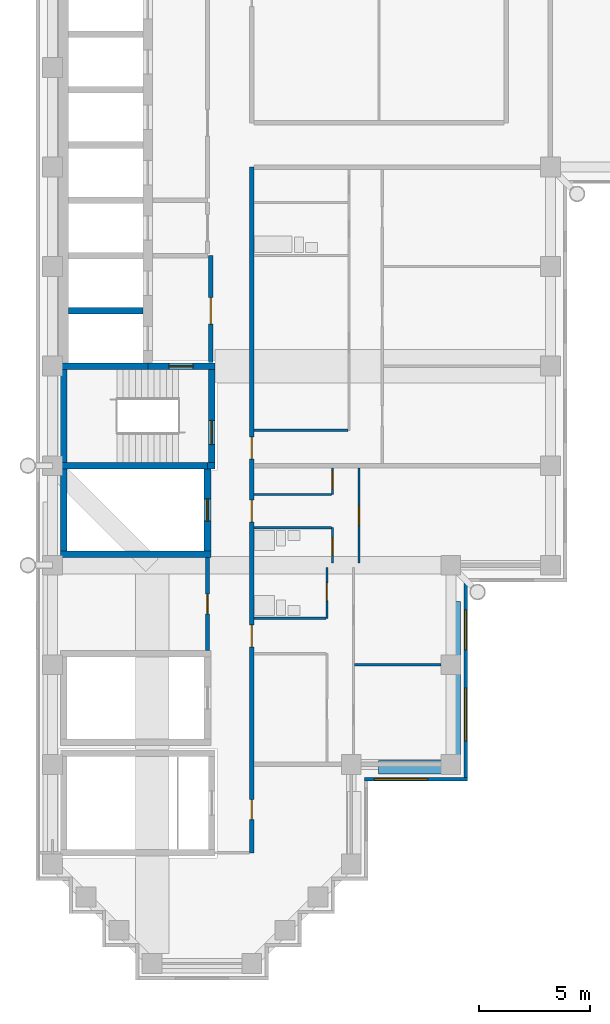
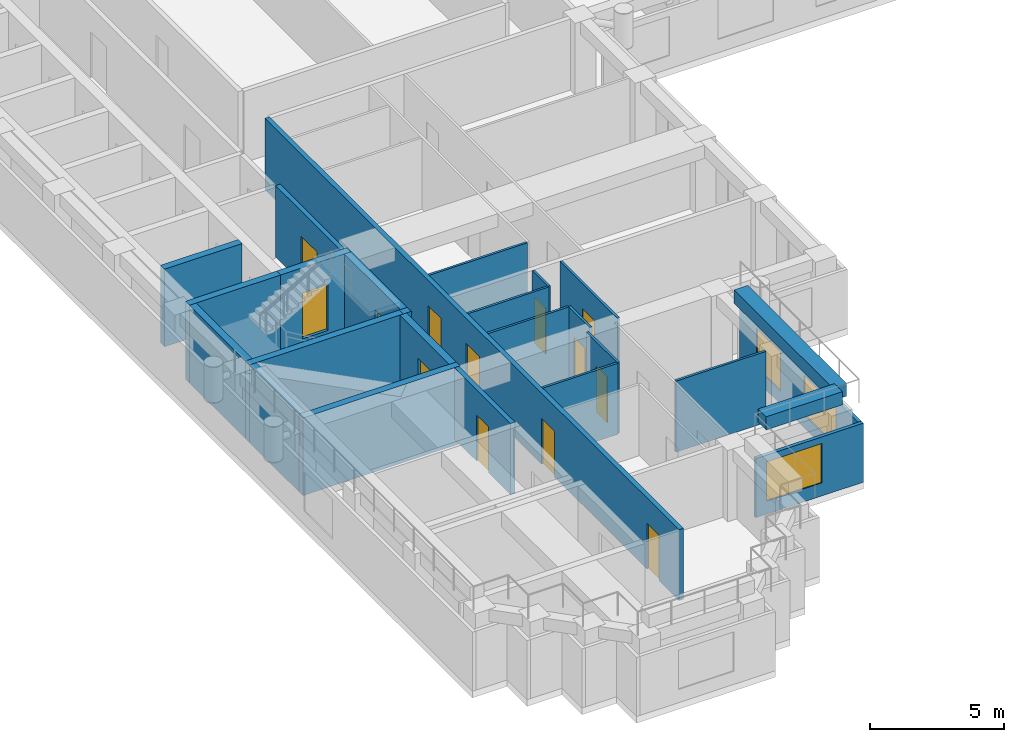
# One storey, part 3 of 11: 26 walls, 13 doors, 3 windows, 16 openings.
"""IFC4 building model written with IfcOpenShell, lengths in metres."""

from ifc_helpers import new_model, si_unit, direction, frame, frame_2d, origin, place, context, subcontext, project, spatial, rectangle, extrude, material, layer, layer_set, type_object, element, fill, save


model = new_model("IFC4")

# Units and contexts
model_context = context("Model", 3, precision=1e-05, world=origin(), true_north=direction((0.0, 1.0)))
body_context = subcontext(model_context, "Body", "Model", "MODEL_VIEW")
ifc_project = project(units=[si_unit("LENGTHUNIT", "METRE"), si_unit("AREAUNIT", "SQUARE_METRE"), si_unit("VOLUMEUNIT", "CUBIC_METRE"), si_unit("PLANEANGLEUNIT", "RADIAN"), si_unit("MASSUNIT", "GRAM", prefix="KILO")], contexts=[model_context])

# Site, building, storey
site_placement = place(None, origin())
site = spatial("IfcSite", under=ifc_project, at=site_placement, CompositionType="ELEMENT")
building_placement = place(site_placement, origin())
building = spatial("IfcBuilding", under=site, at=building_placement, Name="Firuza Court", CompositionType="ELEMENT")
storey_placement = place(building_placement, frame((0.0, 0.0, 207.800048828125)))
storey = spatial("IfcBuildingStorey", under=building, at=storey_placement, Name="L53", CompositionType="ELEMENT", Elevation=207.800048828125)

# Walls
ifc_material_1 = material(Name="Moisture-resistant gypsum board partition")
ifc_layer_1 = layer(ifc_material_1, 0.10009765625)
ifc_layer_set_1 = layer_set([ifc_layer_1], Name="Moisture-resistant gypsum board partition")
wall_type_1 = type_object("IfcWallType", Name="Bathroom partition 100", PredefinedType="PLUMBINGWALL", material=ifc_layer_set_1)
wall_1_placement = place(storey_placement, frame((9.10009765625, 15.60009765625, 0.0), z_axis=(0.0, 0.0, 1.0), x_axis=(1.0, 0.0, 0.0)))
element("IfcWall", 1, at=wall_1_placement, inside=storey, type_object=wall_type_1, Name="Bathroom partition 100 L53", PredefinedType="PLUMBINGWALL", context=body_context, shape_type="SweptSolid", body=[
    extrude(rectangle(XDim=3.25, YDim=0.10009765625, at=frame_2d((1.625, 0.0))), origin(), (0.0, 0.0, 1.0), 3.25),
])
wall_2_placement = place(storey_placement, frame((9.10009765625, 19.699951171875, 0.0), z_axis=(0.0, 0.0, 1.0), x_axis=(1.0, 0.0, 0.0)))
element("IfcWall", 2, at=wall_2_placement, inside=storey, type_object=wall_type_1, Name="Bathroom partition 100 L53", PredefinedType="PLUMBINGWALL", context=body_context, shape_type="SweptSolid", body=[
    extrude(rectangle(XDim=3.5, YDim=0.10009765625, at=frame_2d((1.75, 0.0))), origin(), (0.0, 0.0, 1.0), 3.25),
])
ifc_material_2 = material(Name="Concrete C50/60", Category="concrete")
ifc_layer_2 = layer(ifc_material_2, 0.300048828125)
ifc_layer_set_2 = layer_set([ifc_layer_2], Name="Concrete C50/60")
wall_type_2 = type_object("IfcWallType", Name="Core wall 300 C50/60", PredefinedType="SHEAR", material=ifc_layer_set_2)
wall_3_placement = place(storey_placement, frame((0.35009765625, 18.5, -0.300048828125), z_axis=(0.0, 0.0, 1.0), x_axis=(1.0, 0.0, 0.0)))
element("IfcWall", 3, at=wall_3_placement, inside=storey, type_object=wall_type_2, Name="Core wall riser L53", PredefinedType="SHEAR", context=body_context, shape_type="SweptSolid", body=[
    extrude(rectangle(XDim=6.7998046875, YDim=0.300048828125, at=frame_2d((3.39990234375, 0.0))), origin(), (0.0, 0.0, 1.0), 3.550048828125),
])
wall_4_placement = place(storey_placement, frame((0.35009765625, 22.5, -0.300048828125), z_axis=(0.0, 0.0, 1.0), x_axis=(1.0, 0.0, 0.0)))
element("IfcWall", 4, at=wall_4_placement, inside=storey, type_object=wall_type_2, Name="Core wall riser L53", PredefinedType="SHEAR", context=body_context, shape_type="SweptSolid", body=[
    extrude(rectangle(XDim=6.64990234375, YDim=0.300048828125, at=frame_2d((3.324951171875, 0.0))), origin(), (0.0, 0.0, 1.0), 3.550048828125),
])
wall_5_placement = place(storey_placement, frame((0.35009765625, 27.0, -0.300048828125), z_axis=(0.0, 0.0, 1.0), x_axis=(1.0, 0.0, 0.0)))
element("IfcWall", 5, at=wall_5_placement, inside=storey, type_object=wall_type_2, Name="Core wall lift shaft L53", PredefinedType="SHEAR", context=body_context, shape_type="SweptSolid", body=[
    extrude(rectangle(XDim=3.949951171875, YDim=0.300048828125, at=frame_2d((1.97509765625, 0.0))), origin(), (0.0, 0.0, 1.0), 3.550048828125),
])
wall_6_placement = place(storey_placement, frame((0.5, 18.64990234375, -0.300048828125), z_axis=(0.0, 0.0, 1.0), x_axis=(0.0, 1.0, 0.0)))
element("IfcWall", 6, at=wall_6_placement, inside=storey, type_object=wall_type_2, Name="Core wall riser L53", PredefinedType="SHEAR", context=body_context, shape_type="SweptSolid", body=[
    extrude(rectangle(XDim=3.7001953125, YDim=0.300048828125, at=frame_2d((1.85009765625, 0.0))), origin(), (0.0, 0.0, 1.0), 3.550048828125),
])
wall_7_placement = place(storey_placement, frame((0.5, 22.64990234375, -0.300048828125), z_axis=(0.0, 0.0, 1.0), x_axis=(0.0, 1.0, 0.0)))
element("IfcWall", 7, at=wall_7_placement, inside=storey, type_object=wall_type_2, Name="Core wall stair L53", PredefinedType="SHEAR", context=body_context, shape_type="SweptSolid", body=[
    extrude(rectangle(XDim=4.2001953125, YDim=0.300048828125, at=frame_2d((2.10009765625, 0.0))), origin(), (0.0, 0.0, 1.0), 3.550048828125),
])
wall_8_placement = place(storey_placement, frame((0.72509765625, 29.5, -0.300048828125), z_axis=(0.0, 0.0, 1.0), x_axis=(1.0, 0.0, 0.0)))
element("IfcWall", 8, at=wall_8_placement, inside=storey, type_object=wall_type_2, Name="Core wall lift shaft L53", PredefinedType="SHEAR", context=body_context, shape_type="SweptSolid", body=[
    extrude(rectangle(XDim=3.349853515625, YDim=0.300048828125, at=frame_2d((1.6748046875, 0.0))), origin(), (0.0, 0.0, 1.0), 3.550048828125),
])

# Wall, opening, door
wall_9_placement = place(storey_placement, frame((4.300048828125, 27.0, -0.300048828125), z_axis=(0.0, 0.0, 1.0), x_axis=(1.0, 0.0, 0.0)))
wall_9 = element("IfcWall", 9, at=wall_9_placement, inside=storey, type_object=wall_type_2, Name="Core wall stair L53", PredefinedType="SHEAR", context=body_context, shape_type="SweptSolid", body=[
    extrude(rectangle(XDim=3.050048828125, YDim=0.300048828125, at=frame_2d((1.52490234375, 0.0))), origin(), (0.0, 0.0, 1.0), 3.550048828125),
])
opening_1_placement = place(wall_9_placement, frame((0.949951171875, 0.0, 0.300048828125)))
opening_1 = element("IfcOpeningElement", 10, at=opening_1_placement, cuts=wall_9, Name="Opening D53012", PredefinedType="OPENING", context=body_context, shape_type="SweptSolid", body=[
    extrude(rectangle(XDim=1.10009765625, YDim=2.10009765625, at=frame_2d((0.550048828125, 1.050048828125))), frame((0.0, 0.162109375, 0.0), z_axis=(0.0, -1.0, 0.0), x_axis=(1.0, 0.0, 0.0)), (0.0, 0.0, 1.0), 0.323974609375),
])
ifc_material_3 = material(Name="Timber door leaf in hardwood frame", Category="wood")
door_type_1 = type_object("IfcDoorType", Name="Stair door 1100", OperationType="SINGLE_SWING_LEFT", PredefinedType="DOOR", material=ifc_material_3)
door_1_placement = place(opening_1_placement, frame((1.10009765625, 0.0, 0.0), z_axis=(0.0, 0.0, 1.0), x_axis=(-1.0, 0.0, 0.0)))
door_1 = element("IfcDoor", 11, at=door_1_placement, inside=storey, type_object=door_type_1, Name="Fire-fighting lobby door", OperationType="SINGLE_SWING_LEFT", OverallHeight=2.10009765625, OverallWidth=1.10009765625, PredefinedType="DOOR", context=body_context, shape_type="SweptSolid", body=[
    extrude(rectangle(XDim=1.10009765625, YDim=2.10009765625, at=frame_2d((0.550048828125, 1.050048828125))), frame((0.0, 0.02490234375, 0.0), z_axis=(0.0, -1.0, 0.0), x_axis=(1.0, 0.0, 0.0)), (0.0, 0.0, 1.0), 0.050048828125),
])
fill(opening_1, door_1)

wall_10_placement = place(storey_placement, frame((7.0, 18.64990234375, -0.300048828125), z_axis=(0.0, 0.0, 1.0), x_axis=(0.0, 1.0, 0.0)))
wall_10 = element("IfcWall", 12, at=wall_10_placement, inside=storey, type_object=wall_type_2, Name="Core wall riser L53", PredefinedType="SHEAR", context=body_context, shape_type="SweptSolid", body=[
    extrude(rectangle(XDim=3.7001953125, YDim=0.300048828125, at=frame_2d((1.85009765625, 0.0))), origin(), (0.0, 0.0, 1.0), 3.550048828125),
])
opening_2_placement = place(wall_10_placement, frame((1.35009765625, 0.0, 0.300048828125)))
opening_2 = element("IfcOpeningElement", 13, at=opening_2_placement, cuts=wall_10, Name="Opening D53008", PredefinedType="OPENING", context=body_context, shape_type="SweptSolid", body=[
    extrude(rectangle(XDim=1.0, YDim=2.10009765625, at=frame_2d((0.5, 1.050048828125))), frame((0.0, 0.162109375, 0.0), z_axis=(0.0, -1.0, 0.0), x_axis=(1.0, 0.0, 0.0)), (0.0, 0.0, 1.0), 0.323974609375),
])
ifc_material_4 = material(Name="Timber door leaf in hardwood frame", Category="wood")
door_type_2 = type_object("IfcDoorType", Name="Riser door 1000", OperationType="SINGLE_SWING_LEFT", PredefinedType="DOOR", material=ifc_material_4)
door_2_placement = place(opening_2_placement, origin())
door_2 = element("IfcDoor", 14, at=door_2_placement, inside=storey, type_object=door_type_2, Name="Riser door R1", OperationType="SINGLE_SWING_LEFT", OverallHeight=2.10009765625, OverallWidth=1.0, PredefinedType="DOOR", context=body_context, shape_type="SweptSolid", body=[
    extrude(rectangle(XDim=1.0, YDim=2.10009765625, at=frame_2d((0.5, 1.050048828125))), frame((0.0, 0.02490234375, 0.0), z_axis=(0.0, -1.0, 0.0), x_axis=(1.0, 0.0, 0.0)), (0.0, 0.0, 1.0), 0.050048828125),
])
fill(opening_2, door_2)

# Wall
wall_11_placement = place(storey_placement, frame((7.0, 22.5, -0.300048828125), z_axis=(0.0, 0.0, 1.0), x_axis=(1.0, 0.0, 0.0)))
element("IfcWall", 15, at=wall_11_placement, inside=storey, type_object=wall_type_2, Name="Core wall stair L53", PredefinedType="SHEAR", context=body_context, shape_type="SweptSolid", body=[
    extrude(rectangle(XDim=0.35009765625, YDim=0.300048828125, at=frame_2d((0.175048828125, 0.0))), origin(), (0.0, 0.0, 1.0), 3.550048828125),
])

# Wall, opening, door
wall_12_placement = place(storey_placement, frame((7.199951171875, 22.64990234375, -0.300048828125), z_axis=(0.0, 0.0, 1.0), x_axis=(0.0, 1.0, 0.0)))
wall_12 = element("IfcWall", 16, at=wall_12_placement, inside=storey, type_object=wall_type_2, Name="Core wall stair L53", PredefinedType="SHEAR", context=body_context, shape_type="SweptSolid", body=[
    extrude(rectangle(XDim=4.2001953125, YDim=0.300048828125, at=frame_2d((2.10009765625, 0.0))), origin(), (0.0, 0.0, 1.0), 3.550048828125),
])
opening_3_placement = place(wall_12_placement, frame((0.800048828125, 0.0, 0.300048828125)))
opening_3 = element("IfcOpeningElement", 17, at=opening_3_placement, cuts=wall_12, Name="Opening D53013", PredefinedType="OPENING", context=body_context, shape_type="SweptSolid", body=[
    extrude(rectangle(XDim=1.10009765625, YDim=2.10009765625, at=frame_2d((0.550048828125, 1.050048828125))), frame((0.0, 0.162109375, 0.0), z_axis=(0.0, -1.0, 0.0), x_axis=(1.0, 0.0, 0.0)), (0.0, 0.0, 1.0), 0.323974609375),
])
door_3_placement = place(opening_3_placement, origin())
door_3 = element("IfcDoor", 18, at=door_3_placement, inside=storey, type_object=door_type_1, Name="Stair door S2", OperationType="SINGLE_SWING_LEFT", OverallHeight=2.10009765625, OverallWidth=1.10009765625, PredefinedType="DOOR", context=body_context, shape_type="SweptSolid", body=[
    extrude(rectangle(XDim=1.10009765625, YDim=2.10009765625, at=frame_2d((0.550048828125, 1.050048828125))), frame((0.0, 0.02490234375, 0.0), z_axis=(0.0, -1.0, 0.0), x_axis=(1.0, 0.0, 0.0)), (0.0, 0.0, 1.0), 0.050048828125),
])
fill(opening_3, door_3)

# Wall, openings, doors
ifc_material_5 = material(Name="Blockwork, plastered both sides", Category="masonry")
ifc_layer_3 = layer(ifc_material_5, 0.199951171875)
ifc_layer_set_3 = layer_set([ifc_layer_3], Name="Blockwork, plastered both sides")
wall_type_3 = type_object("IfcWallType", Name="Corridor wall 200", PredefinedType="PARTITIONING", material=ifc_layer_set_3)
wall_13_placement = place(storey_placement, frame((9.0, 5.0, 0.0), z_axis=(0.0, 0.0, 1.0), x_axis=(0.0, 1.0, 0.0)))
wall_13 = element("IfcWall", 19, at=wall_13_placement, inside=storey, type_object=wall_type_3, Name="Corridor wall 200 L53", PredefinedType="PARTITIONING", context=body_context, shape_type="SweptSolid", body=[
    extrude(rectangle(XDim=31.0, YDim=0.199951171875, at=frame_2d((15.5, 0.0))), origin(), (0.0, 0.0, 1.0), 3.25),
])
opening_4_placement = place(wall_13_placement, frame((17.800048828125, 0.0, 0.0)))
opening_4 = element("IfcOpeningElement", 20, at=opening_4_placement, cuts=wall_13, Name="Opening D53016", PredefinedType="OPENING", context=body_context, shape_type="SweptSolid", body=[
    extrude(rectangle(XDim=1.0, YDim=2.10009765625, at=frame_2d((0.5, 1.050048828125))), frame((0.0, 0.11181640625, 0.0), z_axis=(0.0, -1.0, 0.0), x_axis=(1.0, 0.0, 0.0)), (0.0, 0.0, 1.0), 0.223876953125),
])
opening_5_placement = place(wall_13_placement, frame((14.949951171875, 0.0, 0.0)))
opening_5 = element("IfcOpeningElement", 21, at=opening_5_placement, cuts=wall_13, Name="Opening D53017", PredefinedType="OPENING", context=body_context, shape_type="SweptSolid", body=[
    extrude(rectangle(XDim=1.0, YDim=2.10009765625, at=frame_2d((0.5, 1.050048828125))), frame((0.0, 0.11181640625, 0.0), z_axis=(0.0, -1.0, 0.0), x_axis=(1.0, 0.0, 0.0)), (0.0, 0.0, 1.0), 0.223876953125),
])
opening_6_placement = place(wall_13_placement, frame((9.300048828125, 0.0, 0.0)))
opening_6 = element("IfcOpeningElement", 22, at=opening_6_placement, cuts=wall_13, Name="Opening D53018", PredefinedType="OPENING", context=body_context, shape_type="SweptSolid", body=[
    extrude(rectangle(XDim=1.0, YDim=2.10009765625, at=frame_2d((0.5, 1.050048828125))), frame((0.0, 0.11181640625, 0.0), z_axis=(0.0, -1.0, 0.0), x_axis=(1.0, 0.0, 0.0)), (0.0, 0.0, 1.0), 0.223876953125),
])
opening_7_placement = place(wall_13_placement, frame((1.5, 0.0, 0.0)))
opening_7 = element("IfcOpeningElement", 23, at=opening_7_placement, cuts=wall_13, Name="Opening D53019", PredefinedType="OPENING", context=body_context, shape_type="SweptSolid", body=[
    extrude(rectangle(XDim=0.89990234375, YDim=2.10009765625, at=frame_2d((0.449951171875, 1.050048828125))), frame((0.0, 0.11181640625, 0.0), z_axis=(0.0, -1.0, 0.0), x_axis=(1.0, 0.0, 0.0)), (0.0, 0.0, 1.0), 0.223876953125),
])
ifc_material_6 = material(Name="Timber door leaf in hardwood frame", Category="wood")
door_type_3 = type_object("IfcDoorType", Name="Flat entrance door 1000", OperationType="SINGLE_SWING_LEFT", PredefinedType="DOOR", material=ifc_material_6)
door_4_placement = place(opening_4_placement, origin())
door_4 = element("IfcDoor", 24, at=door_4_placement, inside=storey, type_object=door_type_3, Name="Flat entrance door", OperationType="SINGLE_SWING_LEFT", OverallHeight=2.10009765625, OverallWidth=1.0, PredefinedType="DOOR", context=body_context, shape_type="SweptSolid", body=[
    extrude(rectangle(XDim=1.0, YDim=2.10009765625, at=frame_2d((0.5, 1.050048828125))), frame((0.0, 0.02490234375, 0.0), z_axis=(0.0, -1.0, 0.0), x_axis=(1.0, 0.0, 0.0)), (0.0, 0.0, 1.0), 0.050048828125),
])
fill(opening_4, door_4)
door_5_placement = place(opening_5_placement, origin())
door_5 = element("IfcDoor", 25, at=door_5_placement, inside=storey, type_object=door_type_3, Name="Flat entrance door", OperationType="SINGLE_SWING_LEFT", OverallHeight=2.10009765625, OverallWidth=1.0, PredefinedType="DOOR", context=body_context, shape_type="SweptSolid", body=[
    extrude(rectangle(XDim=1.0, YDim=2.10009765625, at=frame_2d((0.5, 1.050048828125))), frame((0.0, 0.02490234375, 0.0), z_axis=(0.0, -1.0, 0.0), x_axis=(1.0, 0.0, 0.0)), (0.0, 0.0, 1.0), 0.050048828125),
])
fill(opening_5, door_5)
door_6_placement = place(opening_6_placement, origin())
door_6 = element("IfcDoor", 26, at=door_6_placement, inside=storey, type_object=door_type_3, Name="Flat entrance door", OperationType="SINGLE_SWING_LEFT", OverallHeight=2.10009765625, OverallWidth=1.0, PredefinedType="DOOR", context=body_context, shape_type="SweptSolid", body=[
    extrude(rectangle(XDim=1.0, YDim=2.10009765625, at=frame_2d((0.5, 1.050048828125))), frame((0.0, 0.02490234375, 0.0), z_axis=(0.0, -1.0, 0.0), x_axis=(1.0, 0.0, 0.0)), (0.0, 0.0, 1.0), 0.050048828125),
])
fill(opening_6, door_6)
ifc_material_7 = material(Name="Timber door leaf in hardwood frame", Category="wood")
door_type_4 = type_object("IfcDoorType", Name="Room door 900 EI 30", OperationType="SINGLE_SWING_LEFT", PredefinedType="DOOR", material=ifc_material_7)
door_7_placement = place(opening_7_placement, frame((0.89990234375, 0.0, 0.0), z_axis=(0.0, 0.0, 1.0), x_axis=(-1.0, 0.0, 0.0)))
door_7 = element("IfcDoor", 27, at=door_7_placement, inside=storey, type_object=door_type_4, Name="Games room door", OperationType="SINGLE_SWING_LEFT", OverallHeight=2.10009765625, OverallWidth=0.89990234375, PredefinedType="DOOR", context=body_context, shape_type="SweptSolid", body=[
    extrude(rectangle(XDim=0.89990234375, YDim=2.10009765625, at=frame_2d((0.449951171875, 1.050048828125))), frame((0.0, 0.02490234375, 0.0), z_axis=(0.0, -1.0, 0.0), x_axis=(1.0, 0.0, 0.0)), (0.0, 0.0, 1.0), 0.050048828125),
])
fill(opening_7, door_7)

# Wall, opening, door
wall_14_placement = place(storey_placement, frame((7.0, 14.14990234375, 0.0), z_axis=(0.0, 0.0, 1.0), x_axis=(0.0, 1.0, 0.0)))
wall_14 = element("IfcWall", 28, at=wall_14_placement, inside=storey, type_object=wall_type_3, Name="Corridor wall 200 L53", PredefinedType="PARTITIONING", context=body_context, shape_type="SweptSolid", body=[
    extrude(rectangle(XDim=4.2001953125, YDim=0.199951171875, at=frame_2d((2.10009765625, 0.0))), origin(), (0.0, 0.0, 1.0), 3.25),
])
opening_8_placement = place(wall_14_placement, frame((1.64990234375, 0.0, 0.0)))
opening_8 = element("IfcOpeningElement", 29, at=opening_8_placement, cuts=wall_14, Name="Opening D53023", PredefinedType="OPENING", context=body_context, shape_type="SweptSolid", body=[
    extrude(rectangle(XDim=0.89990234375, YDim=2.10009765625, at=frame_2d((0.449951171875, 1.050048828125))), frame((0.0, 0.11181640625, 0.0), z_axis=(0.0, -1.0, 0.0), x_axis=(1.0, 0.0, 0.0)), (0.0, 0.0, 1.0), 0.223876953125),
])
door_8_placement = place(opening_8_placement, origin())
door_8 = element("IfcDoor", 30, at=door_8_placement, inside=storey, type_object=door_type_4, Name="Meeting room door", OperationType="SINGLE_SWING_RIGHT", OverallHeight=2.10009765625, OverallWidth=0.89990234375, PredefinedType="DOOR", context=body_context, shape_type="SweptSolid", body=[
    extrude(rectangle(XDim=0.89990234375, YDim=2.10009765625, at=frame_2d((0.449951171875, 1.050048828125))), frame((0.0, 0.02490234375, 0.0), z_axis=(0.0, -1.0, 0.0), x_axis=(1.0, 0.0, 0.0)), (0.0, 0.0, 1.0), 0.050048828125),
])
fill(opening_8, door_8)

# Wall
ifc_material_8 = material(Name="Timber stud partition, plasterboard both sides", Category="wood")
ifc_layer_4 = layer(ifc_material_8, 0.10009765625)
ifc_layer_set_4 = layer_set([ifc_layer_4], Name="Timber stud partition, plasterboard both sides")
wall_type_4 = type_object("IfcWallType", Name="Partition wall 100", PredefinedType="PARTITIONING", material=ifc_layer_set_4)
wall_15_placement = place(storey_placement, frame((13.64990234375, 13.5, 0.0), z_axis=(0.0, 0.0, 1.0), x_axis=(1.0, 0.0, 0.0)))
element("IfcWall", 31, at=wall_15_placement, inside=storey, type_object=wall_type_4, Name="Partition wall 100 L53", PredefinedType="PARTITIONING", context=body_context, shape_type="SweptSolid", body=[
    extrude(rectangle(XDim=3.900146484375, YDim=0.10009765625, at=frame_2d((1.9501953125, 0.0))), origin(), (0.0, 0.0, 1.0), 3.25),
])

# Wall, opening, door
wall_16_placement = place(storey_placement, frame((12.39990234375, 15.60009765625, 0.0), z_axis=(0.0, 0.0, 1.0), x_axis=(0.0, 1.0, 0.0)))
wall_16 = element("IfcWall", 32, at=wall_16_placement, inside=storey, type_object=wall_type_4, Name="Partition wall 100 L53", PredefinedType="PARTITIONING", context=body_context, shape_type="SweptSolid", body=[
    extrude(rectangle(XDim=2.2998046875, YDim=0.10009765625, at=frame_2d((1.14990234375, 0.0))), origin(), (0.0, 0.0, 1.0), 3.25),
])
opening_9_placement = place(wall_16_placement, frame((0.800048828125, 0.0, 0.0)))
opening_9 = element("IfcOpeningElement", 33, at=opening_9_placement, cuts=wall_16, Name="Opening D53024", PredefinedType="OPENING", context=body_context, shape_type="SweptSolid", body=[
    extrude(rectangle(XDim=0.800048828125, YDim=2.10009765625, at=frame_2d((0.39990234375, 1.050048828125))), frame((0.0, 0.06201171875, 0.0), z_axis=(0.0, -1.0, 0.0), x_axis=(1.0, 0.0, 0.0)), (0.0, 0.0, 1.0), 0.1240234375),
])
ifc_material_9 = material(Name="Timber door leaf in hardwood frame", Category="wood")
door_type_5 = type_object("IfcDoorType", Name="Bathroom door 800", OperationType="SINGLE_SWING_LEFT", PredefinedType="DOOR", material=ifc_material_9)
door_9_placement = place(opening_9_placement, origin())
door_9 = element("IfcDoor", 34, at=door_9_placement, inside=storey, type_object=door_type_5, Name="Bathroom door", OperationType="SINGLE_SWING_RIGHT", OverallHeight=2.10009765625, OverallWidth=0.800048828125, PredefinedType="DOOR", context=body_context, shape_type="SweptSolid", body=[
    extrude(rectangle(XDim=0.800048828125, YDim=2.10009765625, at=frame_2d((0.39990234375, 1.050048828125))), frame((0.0, 0.02490234375, 0.0), z_axis=(0.0, -1.0, 0.0), x_axis=(1.0, 0.0, 0.0)), (0.0, 0.0, 1.0), 0.050048828125),
])
fill(opening_9, door_9)

wall_17_placement = place(storey_placement, frame((12.64990234375, 18.10009765625, 0.0), z_axis=(0.0, 0.0, 1.0), x_axis=(0.0, 1.0, 0.0)))
wall_17 = element("IfcWall", 35, at=wall_17_placement, inside=storey, type_object=wall_type_4, Name="Partition wall 100 L53", PredefinedType="PARTITIONING", context=body_context, shape_type="SweptSolid", body=[
    extrude(rectangle(XDim=1.599853515625, YDim=0.10009765625, at=frame_2d((0.7998046875, 0.0))), origin(), (0.0, 0.0, 1.0), 3.25),
])
opening_10_placement = place(wall_17_placement, frame((0.35009765625, 0.0, 0.0)))
opening_10 = element("IfcOpeningElement", 36, at=opening_10_placement, cuts=wall_17, Name="Opening D53025", PredefinedType="OPENING", context=body_context, shape_type="SweptSolid", body=[
    extrude(rectangle(XDim=0.800048828125, YDim=2.10009765625, at=frame_2d((0.39990234375, 1.050048828125))), frame((0.0, 0.06201171875, 0.0), z_axis=(0.0, -1.0, 0.0), x_axis=(1.0, 0.0, 0.0)), (0.0, 0.0, 1.0), 0.1240234375),
])
door_10_placement = place(opening_10_placement, origin())
door_10 = element("IfcDoor", 37, at=door_10_placement, inside=storey, type_object=door_type_5, Name="Bathroom door", OperationType="SINGLE_SWING_LEFT", OverallHeight=2.10009765625, OverallWidth=0.800048828125, PredefinedType="DOOR", context=body_context, shape_type="SweptSolid", body=[
    extrude(rectangle(XDim=0.800048828125, YDim=2.10009765625, at=frame_2d((0.39990234375, 1.050048828125))), frame((0.0, 0.02490234375, 0.0), z_axis=(0.0, -1.0, 0.0), x_axis=(1.0, 0.0, 0.0)), (0.0, 0.0, 1.0), 0.050048828125),
])
fill(opening_10, door_10)

wall_18_placement = place(storey_placement, frame((13.85009765625, 18.10009765625, 0.0), z_axis=(0.0, 0.0, 1.0), x_axis=(0.0, 1.0, 0.0)))
wall_18 = element("IfcWall", 38, at=wall_18_placement, inside=storey, type_object=wall_type_4, Name="Partition wall 100 L53", PredefinedType="PARTITIONING", context=body_context, shape_type="SweptSolid", body=[
    extrude(rectangle(XDim=4.2998046875, YDim=0.10009765625, at=frame_2d((2.14990234375, 0.0))), origin(), (0.0, 0.0, 1.0), 3.25),
])
opening_11_placement = place(wall_18_placement, frame((1.699951171875, 0.0, 0.0)))
opening_11 = element("IfcOpeningElement", 39, at=opening_11_placement, cuts=wall_18, Name="Opening D53026", PredefinedType="OPENING", context=body_context, shape_type="SweptSolid", body=[
    extrude(rectangle(XDim=0.89990234375, YDim=2.10009765625, at=frame_2d((0.449951171875, 1.050048828125))), frame((0.0, 0.06201171875, 0.0), z_axis=(0.0, -1.0, 0.0), x_axis=(1.0, 0.0, 0.0)), (0.0, 0.0, 1.0), 0.1240234375),
])
ifc_material_10 = material(Name="Timber door leaf in hardwood frame", Category="wood")
door_type_6 = type_object("IfcDoorType", Name="Room door 900", OperationType="SINGLE_SWING_LEFT", PredefinedType="DOOR", material=ifc_material_10)
door_11_placement = place(opening_11_placement, frame((0.89990234375, 0.0, 0.0), z_axis=(0.0, 0.0, 1.0), x_axis=(-1.0, 0.0, 0.0)))
door_11 = element("IfcDoor", 40, at=door_11_placement, inside=storey, type_object=door_type_6, Name="Studio room door", OperationType="SINGLE_SWING_RIGHT", OverallHeight=2.10009765625, OverallWidth=0.89990234375, PredefinedType="DOOR", context=body_context, shape_type="SweptSolid", body=[
    extrude(rectangle(XDim=0.89990234375, YDim=2.10009765625, at=frame_2d((0.449951171875, 1.050048828125))), frame((0.0, 0.02490234375, 0.0), z_axis=(0.0, -1.0, 0.0), x_axis=(1.0, 0.0, 0.0)), (0.0, 0.0, 1.0), 0.050048828125),
])
fill(opening_11, door_11)

# Wall
wall_19_placement = place(storey_placement, frame((9.10009765625, 21.199951171875, 0.0), z_axis=(0.0, 0.0, 1.0), x_axis=(1.0, 0.0, 0.0)))
element("IfcWall", 41, at=wall_19_placement, inside=storey, type_object=wall_type_4, Name="Partition wall 100 L53", PredefinedType="PARTITIONING", context=body_context, shape_type="SweptSolid", body=[
    extrude(rectangle(XDim=3.5, YDim=0.10009765625, at=frame_2d((1.75, 0.0))), origin(), (0.0, 0.0, 1.0), 3.25),
])

# Wall, opening, door
wall_20_placement = place(storey_placement, frame((12.64990234375, 21.199951171875, 0.0), z_axis=(0.0, 0.0, 1.0), x_axis=(0.0, 1.0, 0.0)))
wall_20 = element("IfcWall", 42, at=wall_20_placement, inside=storey, type_object=wall_type_4, Name="Partition wall 100 L53", PredefinedType="PARTITIONING", context=body_context, shape_type="SweptSolid", body=[
    extrude(rectangle(XDim=1.199951171875, YDim=0.10009765625, at=frame_2d((0.60009765625, 0.0))), origin(), (0.0, 0.0, 1.0), 3.25),
])
opening_12_placement = place(wall_20_placement, frame((0.25, 0.0, 0.0)))
opening_12 = element("IfcOpeningElement", 43, at=opening_12_placement, cuts=wall_20, Name="Opening D53027", PredefinedType="OPENING", context=body_context, shape_type="SweptSolid", body=[
    extrude(rectangle(XDim=0.800048828125, YDim=2.10009765625, at=frame_2d((0.39990234375, 1.050048828125))), frame((0.0, 0.06201171875, 0.0), z_axis=(0.0, -1.0, 0.0), x_axis=(1.0, 0.0, 0.0)), (0.0, 0.0, 1.0), 0.1240234375),
])
ifc_material_11 = material(Name="Timber door leaf in hardwood frame", Category="wood")
door_type_7 = type_object("IfcDoorType", Name="Room door 800", OperationType="SINGLE_SWING_LEFT", PredefinedType="DOOR", material=ifc_material_11)
door_12_placement = place(opening_12_placement, origin())
door_12 = element("IfcDoor", 44, at=door_12_placement, inside=storey, type_object=door_type_7, Name="Kitchen door", OperationType="SINGLE_SWING_LEFT", OverallHeight=2.10009765625, OverallWidth=0.800048828125, PredefinedType="DOOR", context=body_context, shape_type="SweptSolid", body=[
    extrude(rectangle(XDim=0.800048828125, YDim=2.10009765625, at=frame_2d((0.39990234375, 1.050048828125))), frame((0.0, 0.02490234375, 0.0), z_axis=(0.0, -1.0, 0.0), x_axis=(1.0, 0.0, 0.0)), (0.0, 0.0, 1.0), 0.050048828125),
])
fill(opening_12, door_12)

# Wall
wall_21_placement = place(storey_placement, frame((9.10009765625, 24.10009765625, 0.0), z_axis=(0.0, 0.0, 1.0), x_axis=(1.0, 0.0, 0.0)))
element("IfcWall", 45, at=wall_21_placement, inside=storey, type_object=wall_type_4, Name="Partition wall 100 L53", PredefinedType="PARTITIONING", context=body_context, shape_type="SweptSolid", body=[
    extrude(rectangle(XDim=4.25, YDim=0.10009765625, at=frame_2d((2.125, 0.0))), origin(), (0.0, 0.0, 1.0), 3.25),
])

# Wall, opening, window
ifc_material_12 = material(Name="Ceramic tile", Category="ceramic")
ifc_layer_5 = layer(ifc_material_12, 0.02001953125)
ifc_material_13 = material(Name="Mineral wool insulation", Category="insulation")
ifc_layer_6 = layer(ifc_material_13, 0.050048828125)
ifc_material_14 = material(Name="Concrete C40/50 precast", Category="concrete")
ifc_layer_7 = layer(ifc_material_14, 0.080078125)
ifc_layer_set_5 = layer_set([ifc_layer_5, ifc_layer_6, ifc_layer_7], Name="Concrete C40/50 precast")
wall_type_5 = type_object("IfcWallType", Name="Precast cladding wall with turquoise TILE PANEL face 150", PredefinedType="STANDARD", material=ifc_layer_set_5)
wall_22_placement = place(storey_placement, frame((14.10009765625, 8.324951171875, 0.0), z_axis=(0.0, 0.0, 1.0), x_axis=(1.0, 0.0, 0.0)))
wall_22 = element("IfcWall", 46, at=wall_22_placement, inside=storey, type_object=wall_type_5, Name="Facade wall L53 S", PredefinedType="STANDARD", context=body_context, shape_type="SweptSolid", body=[
    extrude(rectangle(XDim=4.64990234375, YDim=0.14990234375, at=frame_2d((2.324951171875, 0.0))), origin(), (0.0, 0.0, 1.0), 2.699951171875),
])
opening_13_placement = place(wall_22_placement, frame((0.449951171875, 0.0, 0.60009765625)))
opening_13 = element("IfcOpeningElement", 47, at=opening_13_placement, cuts=wall_22, Name="Opening W1", PredefinedType="OPENING", context=body_context, shape_type="SweptSolid", body=[
    extrude(rectangle(XDim=2.39990234375, YDim=1.800048828125, at=frame_2d((1.199951171875, 0.89990234375))), frame((0.0, 0.0869140625, 0.0), z_axis=(0.0, -1.0, 0.0), x_axis=(1.0, 0.0, 0.0)), (0.0, 0.0, 1.0), 0.173828125),
])
ifc_material_15 = material(Name="Aluminium frame, triple clear glazing", Category="aluminium")
window_type_1 = type_object("IfcWindowType", Name="Window W1 2400 x 1800", PartitioningType="SINGLE_PANEL", PredefinedType="WINDOW", material=ifc_material_15)
window_1_placement = place(opening_13_placement, origin())
window_1 = element("IfcWindow", 48, at=window_1_placement, inside=storey, type_object=window_type_1, Name="Window L53", OverallHeight=1.800048828125, OverallWidth=2.39990234375, PartitioningType="SINGLE_PANEL", PredefinedType="WINDOW", context=body_context, shape_type="SweptSolid", body=[
    extrude(rectangle(XDim=2.39990234375, YDim=1.800048828125, at=frame_2d((1.199951171875, 0.89990234375))), frame((0.0, 0.030029296875, 0.0), z_axis=(0.0, -1.0, 0.0), x_axis=(1.0, 0.0, 0.0)), (0.0, 0.0, 1.0), 0.06005859375),
])
fill(opening_13, window_1)

# Wall, openings, windows
wall_23_placement = place(storey_placement, frame((18.675048828125, 8.39990234375, 0.0), z_axis=(0.0, 0.0, 1.0), x_axis=(0.0, 1.0, 0.0)))
wall_23 = element("IfcWall", 49, at=wall_23_placement, inside=storey, type_object=wall_type_5, Name="Facade wall L53 E", PredefinedType="STANDARD", context=body_context, shape_type="SweptSolid", body=[
    extrude(rectangle(XDim=8.85009765625, YDim=0.14990234375, at=frame_2d((4.425048828125, 0.0))), origin(), (0.0, 0.0, 1.0), 2.699951171875),
])
opening_14_placement = place(wall_23_placement, frame((1.64990234375, 0.0, 0.60009765625)))
opening_14 = element("IfcOpeningElement", 50, at=opening_14_placement, cuts=wall_23, Name="Opening W1", PredefinedType="OPENING", context=body_context, shape_type="SweptSolid", body=[
    extrude(rectangle(XDim=2.39990234375, YDim=1.800048828125, at=frame_2d((1.199951171875, 0.89990234375))), frame((0.0, 0.0869140625, 0.0), z_axis=(0.0, -1.0, 0.0), x_axis=(1.0, 0.0, 0.0)), (0.0, 0.0, 1.0), 0.173828125),
])
opening_15_placement = place(wall_23_placement, frame((5.78125, 0.0, 0.60009765625)))
opening_15 = element("IfcOpeningElement", 51, at=opening_15_placement, cuts=wall_23, Name="Opening W7", PredefinedType="OPENING", context=body_context, shape_type="SweptSolid", body=[
    extrude(rectangle(XDim=1.800048828125, YDim=1.800048828125, at=frame_2d((0.89990234375, 0.89990234375))), frame((0.0, 0.0869140625, 0.0), z_axis=(0.0, -1.0, 0.0), x_axis=(1.0, 0.0, 0.0)), (0.0, 0.0, 1.0), 0.173828125),
])
window_2_placement = place(opening_14_placement, origin())
window_2 = element("IfcWindow", 52, at=window_2_placement, inside=storey, type_object=window_type_1, Name="Window L53", OverallHeight=1.800048828125, OverallWidth=2.39990234375, PartitioningType="SINGLE_PANEL", PredefinedType="WINDOW", context=body_context, shape_type="SweptSolid", body=[
    extrude(rectangle(XDim=2.39990234375, YDim=1.800048828125, at=frame_2d((1.199951171875, 0.89990234375))), frame((0.0, 0.030029296875, 0.0), z_axis=(0.0, -1.0, 0.0), x_axis=(1.0, 0.0, 0.0)), (0.0, 0.0, 1.0), 0.06005859375),
])
fill(opening_14, window_2)
ifc_material_16 = material(Name="Aluminium frame, triple clear glazing", Category="aluminium")
window_type_2 = type_object("IfcWindowType", Name="Window W7 1800 x 1800", PartitioningType="SINGLE_PANEL", PredefinedType="WINDOW", material=ifc_material_16)
window_3_placement = place(opening_15_placement, origin())
window_3 = element("IfcWindow", 53, at=window_3_placement, inside=storey, type_object=window_type_2, Name="Window L53", OverallHeight=1.800048828125, OverallWidth=1.800048828125, PartitioningType="SINGLE_PANEL", PredefinedType="WINDOW", context=body_context, shape_type="SweptSolid", body=[
    extrude(rectangle(XDim=1.800048828125, YDim=1.800048828125, at=frame_2d((0.89990234375, 0.89990234375))), frame((0.0, 0.030029296875, 0.0), z_axis=(0.0, -1.0, 0.0), x_axis=(1.0, 0.0, 0.0)), (0.0, 0.0, 1.0), 0.06005859375),
])
fill(opening_15, window_3)

# Wall, opening, door
ifc_material_17 = material(Name="Blockwork, fire-rated", Category="masonry")
ifc_layer_8 = layer(ifc_material_17, 0.199951171875)
ifc_layer_set_6 = layer_set([ifc_layer_8], Name="Blockwork, fire-rated")
wall_type_6 = type_object("IfcWallType", Name="Shaft wall 200", PredefinedType="PARTITIONING", material=ifc_layer_set_6)
wall_24_placement = place(storey_placement, frame((7.14990234375, 27.169921875, 0.0), z_axis=(0.0, 0.0, 1.0), x_axis=(0.0, 1.0, 0.0)))
wall_24 = element("IfcWall", 54, at=wall_24_placement, inside=storey, type_object=wall_type_6, Name="Shaft wall 200 L53", PredefinedType="PARTITIONING", context=body_context, shape_type="SweptSolid", body=[
    extrude(rectangle(XDim=4.830078125, YDim=0.199951171875, at=frame_2d((2.4150390625, 0.0))), origin(), (0.0, 0.0, 1.0), 3.25),
])
opening_16_placement = place(wall_24_placement, frame((1.72998046875, 0.0, 0.0)))
opening_16 = element("IfcOpeningElement", 55, at=opening_16_placement, cuts=wall_24, Name="Opening D53002", PredefinedType="OPENING", context=body_context, shape_type="SweptSolid", body=[
    extrude(rectangle(XDim=1.199951171875, YDim=2.10009765625, at=frame_2d((0.60009765625, 1.050048828125))), frame((0.0, 0.11181640625, 0.0), z_axis=(0.0, -1.0, 0.0), x_axis=(1.0, 0.0, 0.0)), (0.0, 0.0, 1.0), 0.223876953125),
])
ifc_material_18 = material(Name="Timber door leaf in hardwood frame", Category="wood")
door_type_8 = type_object("IfcDoorType", Name="Lobby door 1200", OperationType="SINGLE_SWING_LEFT", PredefinedType="DOOR", material=ifc_material_18)
door_13_placement = place(opening_16_placement, origin())
door_13 = element("IfcDoor", 56, at=door_13_placement, inside=storey, type_object=door_type_8, Name="Fire-fighting lobby door", OperationType="SINGLE_SWING_LEFT", OverallHeight=2.10009765625, OverallWidth=1.199951171875, PredefinedType="DOOR", context=body_context, shape_type="SweptSolid", body=[
    extrude(rectangle(XDim=1.199951171875, YDim=2.10009765625, at=frame_2d((0.60009765625, 1.050048828125))), frame((0.0, 0.02490234375, 0.0), z_axis=(0.0, -1.0, 0.0), x_axis=(1.0, 0.0, 0.0)), (0.0, 0.0, 1.0), 0.050048828125),
])
fill(opening_16, door_13)

# Walls
ifc_layer_9 = layer(ifc_material_12, 0.02001953125)
ifc_layer_10 = layer(ifc_material_14, 0.14990234375)
ifc_material_19 = material(Name="Planting soil", Category="soil")
ifc_layer_11 = layer(ifc_material_19, 0.429931640625)
ifc_layer_set_7 = layer_set([ifc_layer_9, ifc_layer_10, ifc_layer_11], Name="Concrete C40/50 precast")
wall_type_7 = type_object("IfcWallType", Name="Terrace planter 600", PredefinedType="STANDARD", material=ifc_layer_set_7)
wall_25_placement = place(storey_placement, frame((18.1298828125, 16.35009765625, 3.599853515625), z_axis=(0.0, 0.0, 1.0), x_axis=(0.0, -1.0, 0.0)))
element("IfcWall", 57, at=wall_25_placement, inside=storey, type_object=wall_type_7, Name="PLANTER L53", PredefinedType="STANDARD", context=body_context, shape_type="SweptSolid", body=[
    extrude(rectangle(XDim=7.380126953125, YDim=0.60009765625, at=frame_2d((3.68994140625, 0.0))), origin(), (0.0, 0.0, 1.0), 0.60009765625),
])
wall_26_placement = place(storey_placement, frame((18.030029296875, 8.8701171875, 3.599853515625), z_axis=(0.0, 0.0, 1.0), x_axis=(-1.0, 0.0, 0.0)))
element("IfcWall", 58, at=wall_26_placement, inside=storey, type_object=wall_type_7, Name="PLANTER L53", PredefinedType="STANDARD", context=body_context, shape_type="SweptSolid", body=[
    extrude(rectangle(XDim=3.300048828125, YDim=0.60009765625, at=frame_2d((1.64990234375, 0.0))), origin(), (0.0, 0.0, 1.0), 0.60009765625),
])

save(model, "model.ifc")
